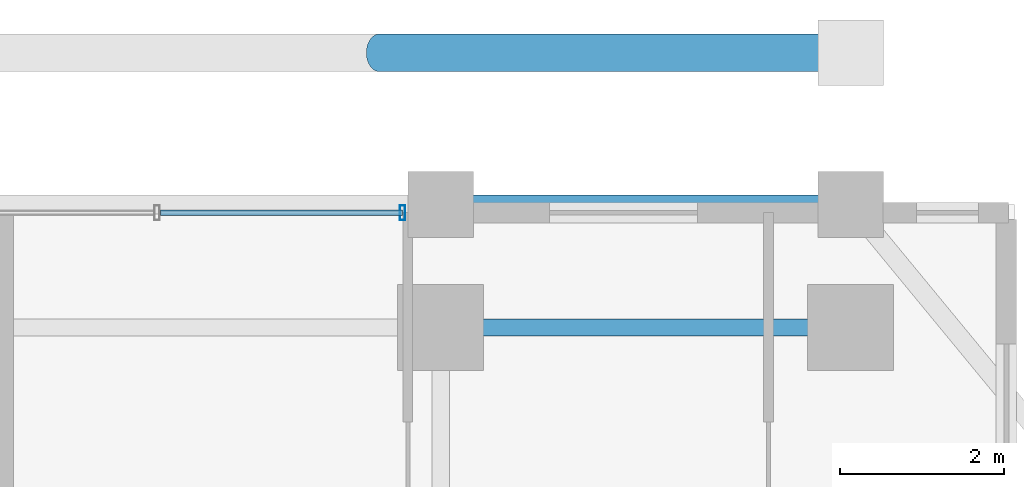
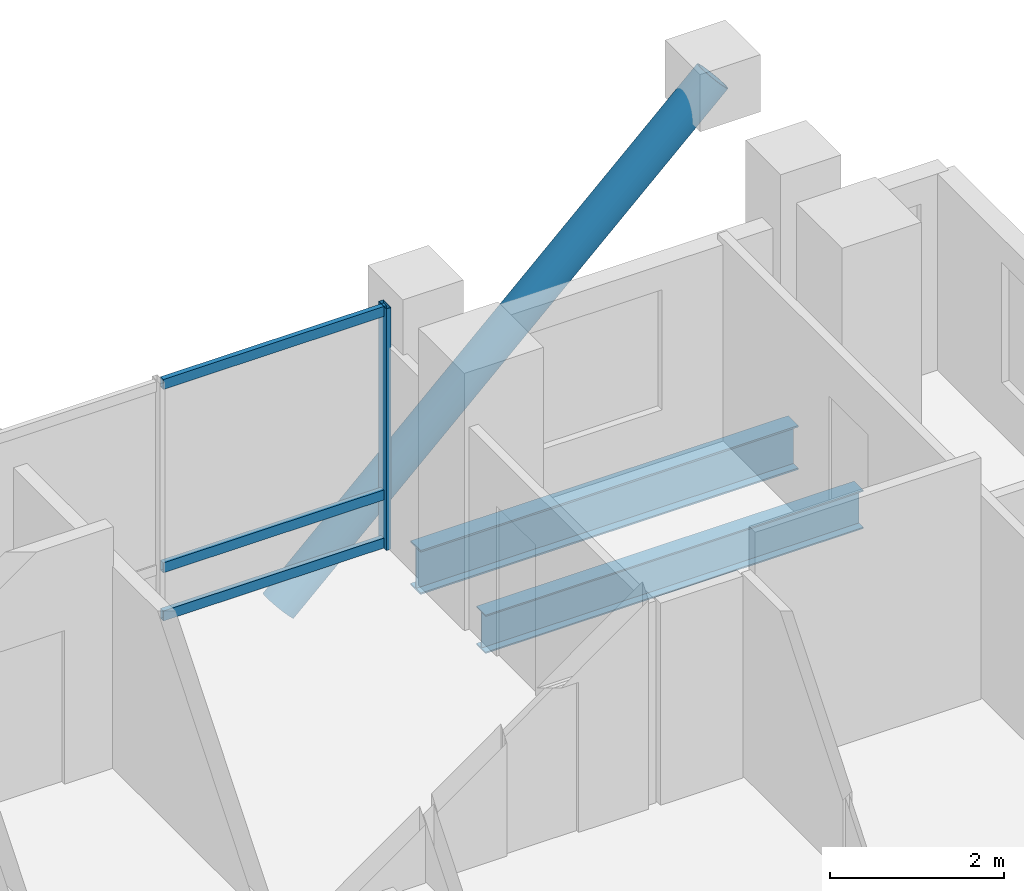
# One storey, part 16 of 24: 5 members, 2 beams, 1 element without a shape of its own.
"""IFC4 building model written with IfcOpenShell, lengths in metres."""

from ifc_helpers import new_model, si_unit, direction, frame, origin, origin_2d, place, context, subcontext, project, spatial, hollow_rectangle, hollow_circle, i_section, extrude, material, layer, layer_set, material_profile, profile_set, type_object, element, aggregate, save


model = new_model("IFC4")

# Units and contexts
model_context = context("Model", 3, precision=1e-05, world=origin(), true_north=direction((0.0, 1.0)))
body_context = subcontext(model_context, "Body", "Model", "MODEL_VIEW")
ifc_project = project(units=[si_unit("LENGTHUNIT", "METRE"), si_unit("AREAUNIT", "SQUARE_METRE"), si_unit("VOLUMEUNIT", "CUBIC_METRE"), si_unit("PLANEANGLEUNIT", "RADIAN"), si_unit("MASSUNIT", "GRAM", prefix="KILO")], contexts=[model_context])

# Site, building, storey
site_placement = place(None, origin())
site = spatial("IfcSite", under=ifc_project, at=site_placement, CompositionType="ELEMENT")
building_placement = place(site_placement, origin())
building = spatial("IfcBuilding", under=site, at=building_placement, Name="Barlavira Tower and Art Museum", CompositionType="ELEMENT")
storey_placement = place(building_placement, frame((0.0, 0.0, 172.800048828125)))
storey = spatial("IfcBuildingStorey", under=building, at=storey_placement, Name="L44", CompositionType="ELEMENT", Elevation=172.800048828125)

# Curtain wall, members
ifc_material_1 = material(Name="Low-iron coastal laminated glass", Category="glass")
ifc_layer = layer(ifc_material_1, 0.199951171875, Name="Low-iron coastal laminated glass")
ifc_layer_set = layer_set([ifc_layer], Name="Low-iron coastal laminated glass")
curtain_wall_type = type_object("IfcCurtainWallType", Name="Pale-Metal Unitised Curtain Wall Zone 3", PredefinedType="NOTDEFINED", material=ifc_layer_set)
curtain_wall_placement = place(storey_placement, origin())
curtain_wall = element("IfcCurtainWall", 1, at=curtain_wall_placement, inside=storey, type_object=curtain_wall_type, Name="L44 Curtain Wall CW3-L44-N-B3", PredefinedType="NOTDEFINED")
ifc_material_2 = material(Name="Pale anodised aluminium", Category="aluminium")
ifc_material_profile_1 = material_profile(ifc_material_2, hollow_rectangle(XDim=0.06494140625, YDim=0.179931640625, WallThickness=0.00390625, at=origin_2d()), Name="ALU-MULL 65x180x4")
ifc_profile_set_1 = profile_set([ifc_material_profile_1], Name="Pale anodised aluminium")
member_type_1 = type_object("IfcMemberType", Name="Curtain Wall Pale-Metal Mullion 65x180", PredefinedType="MULLION", material=ifc_profile_set_1)
member_1_placement = place(storey_placement, frame((6.034912109375, 21.39990234375, 0.0), z_axis=(0.0, 0.0, 1.0), x_axis=(-1.0, 0.0, 0.0)))
member_1 = element("IfcMember", 2, at=member_1_placement, type_object=member_type_1, Name="CW3-L44-N-B3 Mullion 0", PredefinedType="MULLION", context=body_context, shape_type="SweptSolid", body=[
    extrude(hollow_rectangle(XDim=0.06494140625, YDim=0.179931640625, WallThickness=0.00390625, at=origin_2d()), origin(), (0.0, 0.0, 1.0), 3.3798828125),
])
ifc_material_profile_2 = material_profile(ifc_material_2, hollow_rectangle(XDim=0.06494140625, YDim=0.139892578125, WallThickness=0.00390625, at=origin_2d()), Name="ALU-TRAN 65x140x4")
ifc_profile_set_2 = profile_set([ifc_material_profile_2], Name="Pale anodised aluminium")
member_type_2 = type_object("IfcMemberType", Name="Curtain Wall Pale-Metal Transom 65x140", PredefinedType="USERDEFINED", material=ifc_profile_set_2)
member_2_placement = place(storey_placement, frame((6.034912109375, 21.39990234375, 0.070068359375), z_axis=(-1.0, 0.0, 0.0), x_axis=(0.0, -1.0, 0.0)))
member_2 = element("IfcMember", 3, at=member_2_placement, type_object=member_type_2, Name="CW3-L44-N-B3 Transom 0.1", ObjectType="TRANSOM", PredefinedType="USERDEFINED", context=body_context, shape_type="SweptSolid", body=[
    extrude(hollow_rectangle(XDim=0.06494140625, YDim=0.139892578125, WallThickness=0.00390625, at=origin_2d()), origin(), (0.0, 0.0, 1.0), 2.949951171875),
])
member_3_placement = place(storey_placement, frame((6.034912109375, 21.39990234375, 0.743896484375), z_axis=(-1.0, 0.0, 0.0), x_axis=(0.0, -1.0, 0.0)))
member_3 = element("IfcMember", 4, at=member_3_placement, type_object=member_type_2, Name="CW3-L44-N-B3 Transom 0.2", ObjectType="TRANSOM", PredefinedType="USERDEFINED", context=body_context, shape_type="SweptSolid", body=[
    extrude(hollow_rectangle(XDim=0.06494140625, YDim=0.139892578125, WallThickness=0.00390625, at=origin_2d()), origin(), (0.0, 0.0, 1.0), 2.949951171875),
])
member_4_placement = place(storey_placement, frame((6.034912109375, 21.39990234375, 3.31005859375), z_axis=(-1.0, 0.0, 0.0), x_axis=(0.0, -1.0, 0.0)))
member_4 = element("IfcMember", 5, at=member_4_placement, type_object=member_type_2, Name="CW3-L44-N-B3 Transom 0.3", ObjectType="TRANSOM", PredefinedType="USERDEFINED", context=body_context, shape_type="SweptSolid", body=[
    extrude(hollow_rectangle(XDim=0.06494140625, YDim=0.139892578125, WallThickness=0.00390625, at=origin_2d()), origin(), (0.0, 0.0, 1.0), 2.949951171875),
])
aggregate(curtain_wall, [member_1, member_2, member_3, member_4])

# Member
ifc_material_3 = material(Name="Steel S355", Category="steel")
ifc_material_profile_3 = material_profile(ifc_material_3, hollow_circle(Radius=0.228515625, WallThickness=0.02001953125, at=origin_2d()), Name="CHS 457.0x20.0")
ifc_profile_set_3 = profile_set([ifc_material_profile_3], Name="Steel S355")
member_type_3 = type_object("IfcMemberType", Name="Pale-Metal Exoskeleton Diagrid Tube CHS 457x20 Steel S355", PredefinedType="BRACE", material=ifc_profile_set_3)
member_5_placement = place(storey_placement, frame((5.75, 23.35009765625, -1.920166015625), z_axis=(0.728934650808, 0.0, 0.684583285548), x_axis=(0.0, 1.0, 0.0)))
element("IfcMember", 6, at=member_5_placement, inside=storey, type_object=member_type_3, Name="L44 Exoskeleton Diagrid Tube N", PredefinedType="BRACE", context=body_context, shape_type="SweptSolid", body=[
    extrude(hollow_circle(Radius=0.228515625, WallThickness=0.02001953125, at=origin_2d()), origin(), (0.0, 0.0, 1.0), 7.88818359375),
])

# Beams
ifc_material_profile_4 = material_profile(ifc_material_3, i_section(OverallWidth=0.22998046875, OverallDepth=0.616943359375, WebThickness=0.01318359375, FlangeThickness=0.022216796875, at=origin_2d()), Name="W610x140.0")
ifc_profile_set_4 = profile_set([ifc_material_profile_4], Name="Steel S355")
beam_type_1 = type_object("IfcBeamType", Name="Upper Shaft Spandrel Edge Beam W610x140 Steel S355", PredefinedType="SPANDREL", material=ifc_profile_set_4)
beam_1_placement = place(storey_placement, frame((6.5, 21.5, -0.528564453125), z_axis=(1.0, 0.0, 0.0), x_axis=(0.0, 1.0, 0.0)))
element("IfcBeam", 7, at=beam_1_placement, inside=storey, type_object=beam_type_1, Name="L44 Spandrel 9", PredefinedType="SPANDREL", context=body_context, shape_type="SweptSolid", body=[
    extrude(i_section(OverallWidth=0.22998046875, OverallDepth=0.616943359375, WebThickness=0.01318359375, FlangeThickness=0.022216796875, at=origin_2d()), origin(), (0.0, 0.0, 1.0), 5.0),
])
ifc_material_profile_5 = material_profile(ifc_material_3, i_section(OverallWidth=0.2109375, OverallDepth=0.5390625, WebThickness=0.01171875, FlangeThickness=0.018798828125, at=origin_2d()), Name="W530x109.0")
ifc_profile_set_5 = profile_set([ifc_material_profile_5], Name="Steel S355")
beam_type_2 = type_object("IfcBeamType", Name="Zone 3-4 Primary Floor Girder W530x109 Steel S355", PredefinedType="BEAM", material=ifc_profile_set_5)
beam_2_placement = place(storey_placement, frame((6.5, 20.0, -0.489501953125), z_axis=(1.0, 0.0, 0.0), x_axis=(0.0, 1.0, 0.0)))
element("IfcBeam", 8, at=beam_2_placement, inside=storey, type_object=beam_type_2, Name="L44 Girder M-N3", PredefinedType="BEAM", context=body_context, shape_type="SweptSolid", body=[
    extrude(i_section(OverallWidth=0.2109375, OverallDepth=0.5390625, WebThickness=0.01171875, FlangeThickness=0.018798828125, at=origin_2d()), origin(), (0.0, 0.0, 1.0), 5.0),
])

save(model, "model.ifc")
